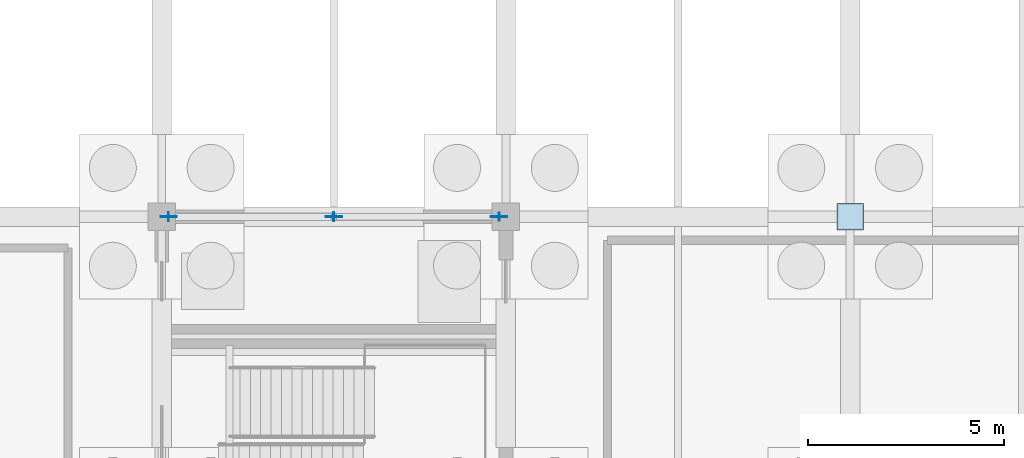
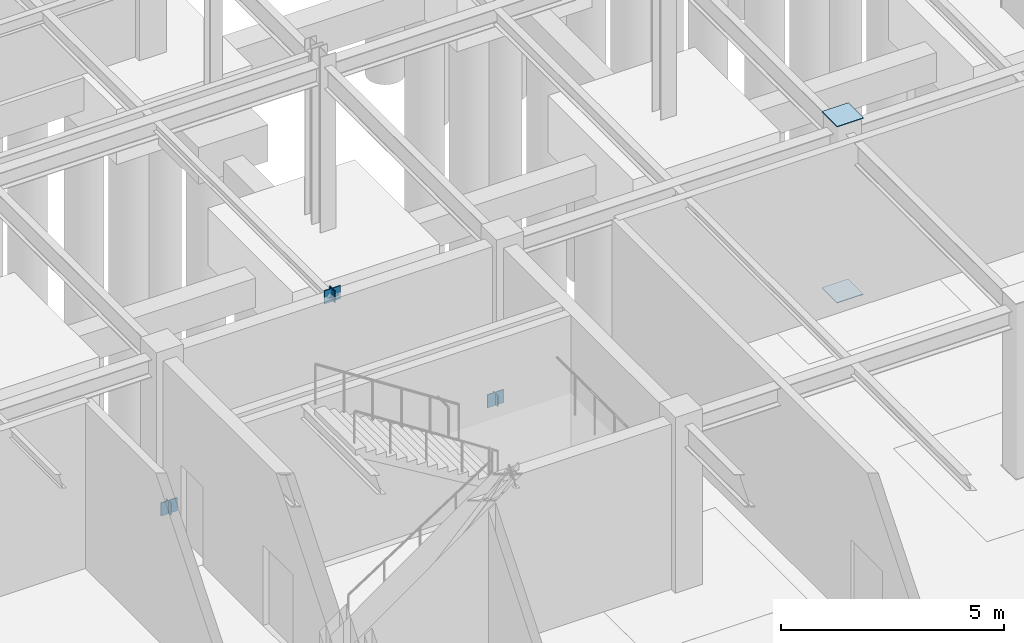
# One storey, part 53 of 72: 9 plates.
"""IFC4 building model written with IfcOpenShell, lengths in metres."""

from ifc_helpers import new_model, si_unit, direction, frame, origin, origin_2d, place, context, subcontext, project, spatial, rectangle, extrude, material, layer, layer_set, type_object, element, save


model = new_model("IFC4")

# Units and contexts
model_context = context("Model", 3, precision=1e-05, world=origin(), true_north=direction((0.0, 1.0)))
body_context = subcontext(model_context, "Body", "Model", "MODEL_VIEW")
ifc_project = project(units=[si_unit("LENGTHUNIT", "METRE"), si_unit("AREAUNIT", "SQUARE_METRE"), si_unit("VOLUMEUNIT", "CUBIC_METRE"), si_unit("PLANEANGLEUNIT", "RADIAN"), si_unit("MASSUNIT", "GRAM", prefix="KILO")], contexts=[model_context])

# Site, building, storey
site_placement = place(None, origin())
site = spatial("IfcSite", under=ifc_project, at=site_placement, CompositionType="ELEMENT")
building_placement = place(site_placement, origin())
building = spatial("IfcBuilding", under=site, at=building_placement, Name="Zhaolan Boulevard Law Courts", CompositionType="ELEMENT")
storey_placement = place(building_placement, frame((0.0, 0.0, -4.800048828125)))
storey = spatial("IfcBuildingStorey", under=building, at=storey_placement, Name="B1", CompositionType="ELEMENT", Elevation=-4.800048828125)

# Plates
ifc_material_1 = material(Name="Structural steel Q355B", Category="steel")
ifc_layer_1 = layer(ifc_material_1, 0.02392578125)
ifc_layer_set_1 = layer_set([ifc_layer_1])
plate_type_1 = type_object("IfcPlateType", Name="BRACE GUSSET PLATE 24", PredefinedType="SHEET", material=ifc_layer_set_1)
for number, where, z_axis, x_axis, name in (
    (1, (17.780029296875, 70.0, 0.02001953125), (0.0, 0.0, 1.0), (1.0, 0.0, 0.0), "Brace Gusset Connection Plate GP-W2-B1-NA1"),
    (2, (26.219970703125, 70.0, 0.02001953125), (0.0, 0.0, 1.0), (1.0, 0.0, 0.0), "Brace Gusset Connection Plate GP-W2-B1-NA2"),
    (3, (22.0, 70.0, 4.33984375), (0.0, 0.0, 1.0), (1.0, 0.0, 0.0), "Brace Gusset Connection Plate GP-W2-B1-NAPX"),
):
    element("IfcPlate", number, at=place(storey_placement, frame(where, z_axis=z_axis, x_axis=x_axis)), inside=storey, type_object=plate_type_1, Name=name, PredefinedType="SHEET", context=body_context, shape_type="SweptSolid", body=[
        extrude(rectangle(XDim=0.419921875, YDim=0.02392578125, at=origin_2d()), origin(), (0.0, 0.0, 1.0), 0.360107421875),
    ])
ifc_material_2 = material(Name="Structural steel Q355B", Category="steel")
ifc_layer_2 = layer(ifc_material_2, 0.02001953125)
ifc_layer_set_2 = layer_set([ifc_layer_2])
plate_type_2 = type_object("IfcPlateType", Name="END CAP PLATE 20", PredefinedType="SHEET", material=ifc_layer_set_2)
for number, where, z_axis, x_axis, name in (
    (4, (35.199951171875, 70.0, -0.01806640625), (0.0, 0.0, 1.0), (1.0, 0.0, 0.0), "Hollow Section End-Cap Plate ECP-0465"),
    (5, (35.199951171875, 70.0, 4.798095703125), (0.0, 0.0, 1.0), (1.0, 0.0, 0.0), "Hollow Section End-Cap Plate ECP-0466"),
):
    element("IfcPlate", number, at=place(storey_placement, frame(where, z_axis=z_axis, x_axis=x_axis)), inside=storey, type_object=plate_type_2, Name=name, PredefinedType="SHEET", context=body_context, shape_type="SweptSolid", body=[
        extrude(rectangle(XDim=0.679931640625, YDim=0.679931640625, at=origin_2d()), origin(), (0.0, 0.0, 1.0), 0.02001953125),
    ])
for number, where, z_axis, x_axis, name in (
    (6, (17.7744140625, 70.0, 0.02978515625), (0.0, 0.0, 1.0), (1.0, 0.0, 0.0), "Hollow Section End-Cap Plate ECP-1135"),
    (7, (22.005615234375, 70.0, 4.361083984375), (0.0, 0.0, 1.0), (1.0, 0.0, 0.0), "Hollow Section End-Cap Plate ECP-1136"),
):
    element("IfcPlate", number, at=place(storey_placement, frame(where, z_axis=z_axis, x_axis=x_axis)), inside=storey, type_object=plate_type_2, Name=name, PredefinedType="SHEET", context=body_context, shape_type="SweptSolid", body=[
        extrude(rectangle(XDim=0.02001953125, YDim=0.22998046875, at=origin_2d()), origin(), (0.0, 0.0, 1.0), 0.3291015625),
    ])
for number, where, z_axis, x_axis, name in (
    (8, (26.2255859375, 70.0, 0.0439453125), (0.0, 0.0, 1.0), (-1.0, 0.0, 0.0), "Hollow Section End-Cap Plate ECP-1137"),
    (9, (21.994384765625, 70.0, 4.375), (0.0, 0.0, 1.0), (-1.0, 0.0, 0.0), "Hollow Section End-Cap Plate ECP-1138"),
):
    element("IfcPlate", number, at=place(storey_placement, frame(where, z_axis=z_axis, x_axis=x_axis)), inside=storey, type_object=plate_type_2, Name=name, PredefinedType="SHEET", context=body_context, shape_type="SweptSolid", body=[
        extrude(rectangle(XDim=0.02001953125, YDim=0.2099609375, at=origin_2d()), origin(), (0.0, 0.0, 1.0), 0.301025390625),
    ])

save(model, "model.ifc")
